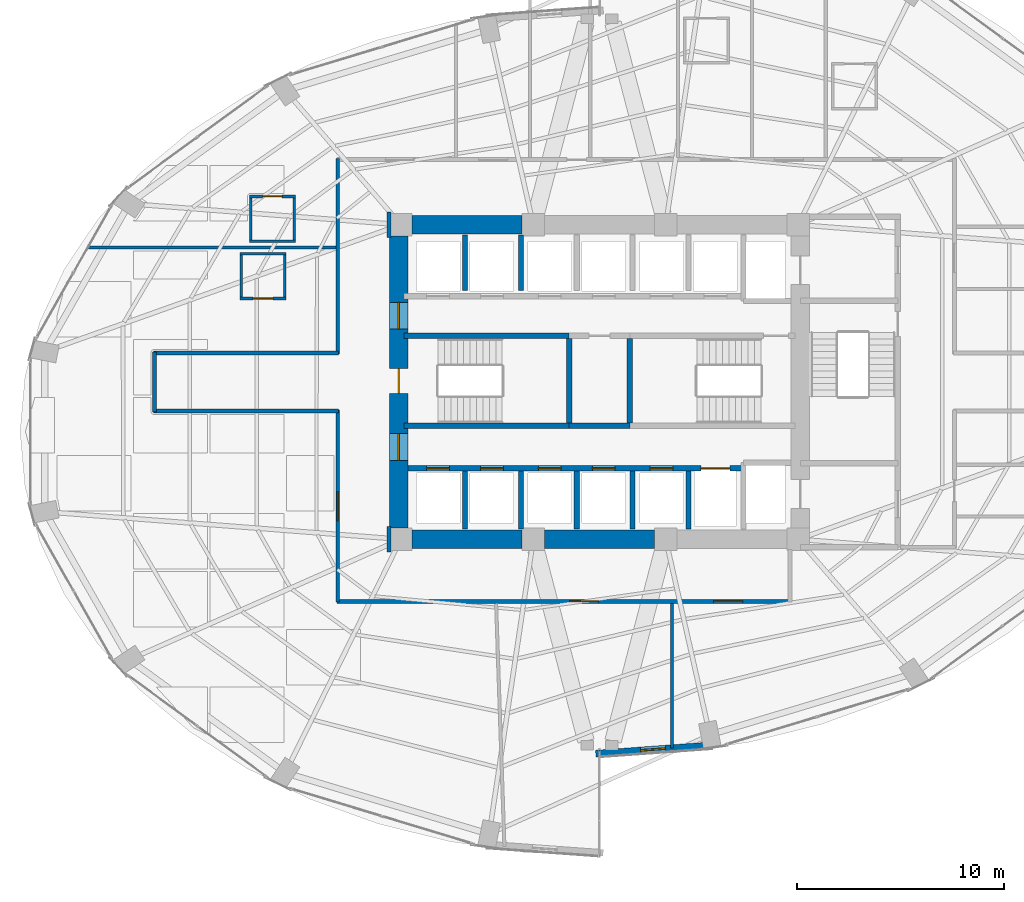
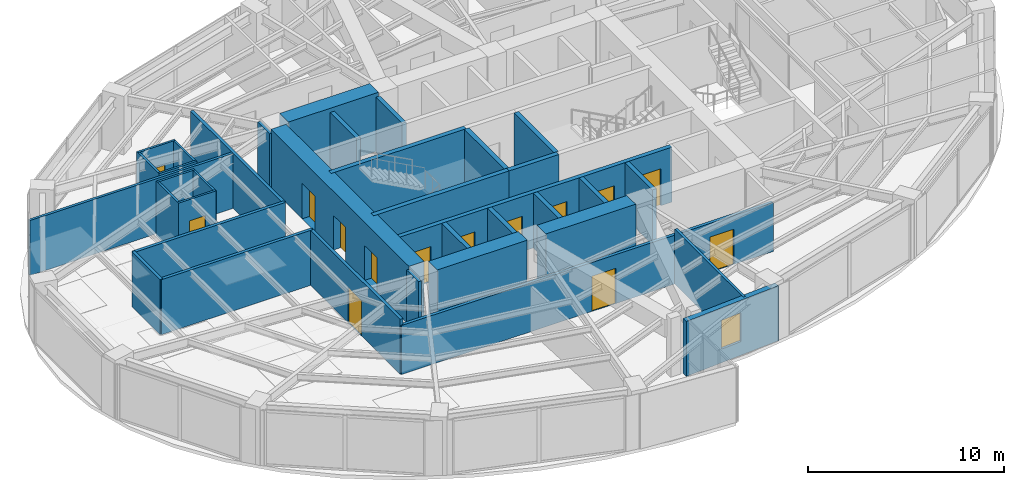
# One storey, part 21 of 25: 36 walls, 14 doors, 1 window, 15 openings.
"""IFC4 building model written with IfcOpenShell, lengths in metres."""

from ifc_helpers import new_model, si_unit, direction, frame, frame_2d, origin, place, context, subcontext, project, spatial, rectangle, extrude, material, layer, layer_set, type_object, element, fill, save


model = new_model("IFC4")

# Units and contexts
model_context = context("Model", 3, precision=1e-05, world=origin(), true_north=direction((0.0, 1.0)))
body_context = subcontext(model_context, "Body", "Model", "MODEL_VIEW")
ifc_project = project(units=[si_unit("LENGTHUNIT", "METRE"), si_unit("AREAUNIT", "SQUARE_METRE"), si_unit("VOLUMEUNIT", "CUBIC_METRE"), si_unit("PLANEANGLEUNIT", "RADIAN"), si_unit("MASSUNIT", "GRAM", prefix="KILO")], contexts=[model_context])

# Site, building, storey
site_placement = place(None, origin())
site = spatial("IfcSite", under=ifc_project, at=site_placement, CompositionType="ELEMENT")
building_placement = place(site_placement, origin())
building = spatial("IfcBuilding", under=site, at=building_placement, Name="Lazwardi Medical Tower", CompositionType="ELEMENT")
storey_placement = place(building_placement, frame((0.0, 0.0, 47.087890625)))
storey = spatial("IfcBuildingStorey", under=building, at=storey_placement, Name="L11", CompositionType="ELEMENT", Elevation=47.087890625)

# Walls
ifc_material_1 = material(Name="Fire-rated gypsum board on steel stud", Category="steel")
ifc_layer_1 = layer(ifc_material_1, 0.179931640625)
ifc_layer_set_1 = layer_set([ifc_layer_1], Name="Fire-rated gypsum board on steel stud")
wall_type_1 = type_object("IfcWallType", Name="WL-COR-180", PredefinedType="PARTITIONING", material=ifc_layer_set_1)
wall_1_placement = place(storey_placement, frame((14.5, 26.56005859375, 0.0), z_axis=(0.0, 0.0, 1.0), x_axis=(0.0, 1.0, 0.0)))
element("IfcWall", 1, at=wall_1_placement, inside=storey, type_object=wall_type_1, Name="L11 Corridor partition 1", PredefinedType="PARTITIONING", context=body_context, shape_type="SweptSolid", body=[
    extrude(rectangle(XDim=2.8798828125, YDim=0.179931640625, at=frame_2d((1.43994140625, 0.0))), origin(), (0.0, 0.0, 1.0), 3.42822265625),
])
wall_2_placement = place(storey_placement, frame((14.4599609375, 29.39990234375, 0.0), z_axis=(0.0, 0.0, 1.0), x_axis=(1.0, 0.0, 0.0)))
element("IfcWall", 2, at=wall_2_placement, inside=storey, type_object=wall_type_1, Name="L11 Corridor partition 2", PredefinedType="PARTITIONING", context=body_context, shape_type="SweptSolid", body=[
    extrude(rectangle(XDim=8.929931640625, YDim=0.179931640625, at=frame_2d((4.46484375, 0.0))), origin(), (0.0, 0.0, 1.0), 3.42822265625),
])
wall_3_placement = place(storey_placement, frame((23.35009765625, 29.360107421875, 0.0), z_axis=(0.0, 0.0, 1.0), x_axis=(0.0, 1.0, 0.0)))
element("IfcWall", 3, at=wall_3_placement, inside=storey, type_object=wall_type_1, Name="L11 Corridor partition 3", PredefinedType="PARTITIONING", context=body_context, shape_type="SweptSolid", body=[
    extrude(rectangle(XDim=9.429931640625, YDim=0.179931640625, at=frame_2d((4.71484375, 0.0))), origin(), (0.0, 0.0, 1.0), 3.42822265625),
])
for number, where, z_axis, x_axis, name in (
    (4, (25.830078125, 36.2099609375, 0.0), (0.0, 0.0, 1.0), (0.0, -1.0, 0.0), "L11 Corridor partition 12"),
    (5, (25.830078125, 21.010009765625, 0.0), (0.0, 0.0, 1.0), (0.0, -1.0, 0.0), "L11 Corridor partition 13"),
):
    element("IfcWall", number, at=place(storey_placement, frame(where, z_axis=z_axis, x_axis=x_axis)), inside=storey, type_object=wall_type_1, Name=name, PredefinedType="PARTITIONING", context=body_context, shape_type="SweptSolid", body=[
        extrude(rectangle(XDim=1.219970703125, YDim=0.179931640625, at=frame_2d((0.60986328125, 0.0))), origin(), (0.0, 0.0, 1.0), 3.42822265625),
    ])

# Wall, openings, doors
wall_4_placement = place(storey_placement, frame((45.239990234375, 17.39990234375, 0.0), z_axis=(0.0, 0.0, 1.0), x_axis=(-1.0, 0.0, 0.0)))
wall_4 = element("IfcWall", 6, at=wall_4_placement, inside=storey, type_object=wall_type_1, Name="L11 Corridor partition 15", PredefinedType="PARTITIONING", context=body_context, shape_type="SweptSolid", body=[
    extrude(rectangle(XDim=21.929931640625, YDim=0.179931640625, at=frame_2d((10.96484375, 0.0))), origin(), (0.0, 0.0, 1.0), 3.05322265625),
])
opening_1_placement = place(wall_4_placement, frame((9.288818359375, 0.0, 0.0)))
opening_1 = element("IfcOpeningElement", 7, at=opening_1_placement, cuts=wall_4, Name="Opening D-L11-011", PredefinedType="OPENING", context=body_context, shape_type="SweptSolid", body=[
    extrude(rectangle(XDim=1.39990234375, YDim=2.199951171875, at=frame_2d((0.699951171875, 1.10009765625))), frame((0.0, 0.099853515625, 0.0), z_axis=(0.0, -1.0, 0.0), x_axis=(1.0, 0.0, 0.0)), (0.0, 0.0, 1.0), 0.199951171875),
])
opening_2_placement = place(wall_4_placement, frame((2.3291015625, 0.0, 0.0)))
opening_2 = element("IfcOpeningElement", 8, at=opening_2_placement, cuts=wall_4, Name="Opening D-L11-012", PredefinedType="OPENING", context=body_context, shape_type="SweptSolid", body=[
    extrude(rectangle(XDim=1.39990234375, YDim=2.199951171875, at=frame_2d((0.699951171875, 1.10009765625))), frame((0.0, 0.099853515625, 0.0), z_axis=(0.0, -1.0, 0.0), x_axis=(1.0, 0.0, 0.0)), (0.0, 0.0, 1.0), 0.199951171875),
])
ifc_material_2 = material(Name="Anti-microbial laminate hospital leaf")
door_type_1 = type_object("IfcDoorType", Name="DR-BED-1400", OperationType="NOTDEFINED", PredefinedType="DOOR", material=ifc_material_2)
door_1_placement = place(opening_1_placement, origin())
door_1 = element("IfcDoor", 9, at=door_1_placement, inside=storey, type_object=door_type_1, Name="L11 Rehabilitation Gymnasium Door 02", OperationType="SINGLE_SWING_LEFT", OverallHeight=2.199951171875, OverallWidth=1.39990234375, PredefinedType="DOOR", context=body_context, shape_type="SweptSolid", body=[
    extrude(rectangle(XDim=1.39990234375, YDim=2.199951171875, at=frame_2d((0.699951171875, 1.10009765625))), frame((0.0, 0.02490234375, 0.0), z_axis=(0.0, -1.0, 0.0), x_axis=(1.0, 0.0, 0.0)), (0.0, 0.0, 1.0), 0.050048828125),
])
fill(opening_1, door_1)
door_2_placement = place(opening_2_placement, origin())
door_2 = element("IfcDoor", 10, at=door_2_placement, inside=storey, type_object=door_type_1, Name="L11 Patient Day Lounge Door 03", OperationType="SINGLE_SWING_RIGHT", OverallHeight=2.199951171875, OverallWidth=1.39990234375, PredefinedType="DOOR", context=body_context, shape_type="SweptSolid", body=[
    extrude(rectangle(XDim=1.39990234375, YDim=2.199951171875, at=frame_2d((0.699951171875, 1.10009765625))), frame((0.0, 0.02490234375, 0.0), z_axis=(0.0, -1.0, 0.0), x_axis=(1.0, 0.0, 0.0)), (0.0, 0.0, 1.0), 0.050048828125),
])
fill(opening_2, door_2)

# Wall, opening, door
wall_5_placement = place(storey_placement, frame((23.35009765625, 17.360107421875, 0.0), z_axis=(0.0, 0.0, 1.0), x_axis=(0.0, 1.0, 0.0)))
wall_5 = element("IfcWall", 11, at=wall_5_placement, inside=storey, type_object=wall_type_1, Name="L11 Corridor partition 16", PredefinedType="PARTITIONING", context=body_context, shape_type="SweptSolid", body=[
    extrude(rectangle(XDim=9.27978515625, YDim=0.179931640625, at=frame_2d((4.639892578125, 0.0))), origin(), (0.0, 0.0, 1.0), 3.42822265625),
])
opening_3_placement = place(wall_5_placement, frame((3.93994140625, 0.0, 0.0)))
opening_3 = element("IfcOpeningElement", 12, at=opening_3_placement, cuts=wall_5, Name="Opening D-L11-010", PredefinedType="OPENING", context=body_context, shape_type="SweptSolid", body=[
    extrude(rectangle(XDim=1.39990234375, YDim=2.199951171875, at=frame_2d((0.699951171875, 1.10009765625))), frame((0.0, 0.099853515625, 0.0), z_axis=(0.0, -1.0, 0.0), x_axis=(1.0, 0.0, 0.0)), (0.0, 0.0, 1.0), 0.199951171875),
])
door_3_placement = place(opening_3_placement, origin())
door_3 = element("IfcDoor", 13, at=door_3_placement, inside=storey, type_object=door_type_1, Name="L11 Inpatient Ward Door 01", OperationType="SINGLE_SWING_RIGHT", OverallHeight=2.199951171875, OverallWidth=1.39990234375, PredefinedType="DOOR", context=body_context, shape_type="SweptSolid", body=[
    extrude(rectangle(XDim=1.39990234375, YDim=2.199951171875, at=frame_2d((0.699951171875, 1.10009765625))), frame((0.0, 0.02490234375, 0.0), z_axis=(0.0, -1.0, 0.0), x_axis=(1.0, 0.0, 0.0)), (0.0, 0.0, 1.0), 0.050048828125),
])
fill(opening_3, door_3)

# Wall
wall_6_placement = place(storey_placement, frame((23.389892578125, 26.60009765625, 0.0), z_axis=(0.0, 0.0, 1.0), x_axis=(-1.0, 0.0, 0.0)))
element("IfcWall", 14, at=wall_6_placement, inside=storey, type_object=wall_type_1, Name="L11 Corridor partition 17", PredefinedType="PARTITIONING", context=body_context, shape_type="SweptSolid", body=[
    extrude(rectangle(XDim=8.929931640625, YDim=0.179931640625, at=frame_2d((4.46484375, 0.0))), origin(), (0.0, 0.0, 1.0), 3.42822265625),
])

# Wall, openings, doors
ifc_material_3 = material(Name="Concrete C80/95", Category="concrete")
ifc_layer_2 = layer(ifc_material_3, 0.89990234375)
ifc_layer_set_2 = layer_set([ifc_layer_2], Name="Concrete C80/95")
wall_type_2 = type_object("IfcWallType", Name="WL-CORE-900", PredefinedType="SHEAR", material=ifc_layer_set_2)
wall_7_placement = place(storey_placement, frame((26.300048828125, 20.949951171875, 0.0), z_axis=(0.0, 0.0, 1.0), x_axis=(0.0, 1.0, 0.0)))
wall_7 = element("IfcWall", 15, at=wall_7_placement, inside=storey, type_object=wall_type_2, Name="Core wall CW-S1 west L11", PredefinedType="SHEAR", context=body_context, shape_type="SweptSolid", body=[
    extrude(rectangle(XDim=14.10009765625, YDim=0.89990234375, at=frame_2d((7.050048828125, 0.0))), origin(), (0.0, 0.0, 1.0), 3.648193359375),
])
opening_4_placement = place(wall_7_placement, frame((6.5, 0.0, 0.0)))
opening_4 = element("IfcOpeningElement", 16, at=opening_4_placement, cuts=wall_7, Name="Opening D-L11-023", PredefinedType="OPENING", context=body_context, shape_type="SweptSolid", body=[
    extrude(rectangle(XDim=1.199951171875, YDim=2.14990234375, at=frame_2d((0.60009765625, 1.074951171875))), frame((0.0, 0.4599609375, 0.0), z_axis=(0.0, -1.0, 0.0), x_axis=(1.0, 0.0, 0.0)), (0.0, 0.0, 1.0), 0.919921875),
])
opening_5_placement = place(wall_7_placement, frame((9.60009765625, 0.0, 0.0)))
opening_5 = element("IfcOpeningElement", 17, at=opening_5_placement, cuts=wall_7, Name="Opening D-L11-008", PredefinedType="OPENING", context=body_context, shape_type="SweptSolid", body=[
    extrude(rectangle(XDim=1.300048828125, YDim=2.199951171875, at=frame_2d((0.64990234375, 1.10009765625))), frame((0.0, 0.4599609375, 0.0), z_axis=(0.0, -1.0, 0.0), x_axis=(1.0, 0.0, 0.0)), (0.0, 0.0, 1.0), 0.919921875),
])
opening_6_placement = place(wall_7_placement, frame((3.260009765625, 0.0, 0.0)))
opening_6 = element("IfcOpeningElement", 18, at=opening_6_placement, cuts=wall_7, Name="Opening D-L11-009", PredefinedType="OPENING", context=body_context, shape_type="SweptSolid", body=[
    extrude(rectangle(XDim=1.300048828125, YDim=2.199951171875, at=frame_2d((0.64990234375, 1.10009765625))), frame((0.0, 0.4599609375, 0.0), z_axis=(0.0, -1.0, 0.0), x_axis=(1.0, 0.0, 0.0)), (0.0, 0.0, 1.0), 0.919921875),
])
ifc_material_4 = material(Name="Fire-rated steel leaf and frame", Category="steel")
door_type_2 = type_object("IfcDoorType", Name="DR-FFL-1300", OperationType="NOTDEFINED", PredefinedType="DOOR", material=ifc_material_4)
door_4_placement = place(opening_5_placement, origin())
door_4 = element("IfcDoor", 19, at=door_4_placement, inside=storey, type_object=door_type_2, Name="L11 North Lift Lobby Door", OperationType="SINGLE_SWING_RIGHT", OverallHeight=2.199951171875, OverallWidth=1.300048828125, PredefinedType="DOOR", context=body_context, shape_type="SweptSolid", body=[
    extrude(rectangle(XDim=1.300048828125, YDim=2.199951171875, at=frame_2d((0.64990234375, 1.10009765625))), frame((0.0, 0.02490234375, 0.0), z_axis=(0.0, -1.0, 0.0), x_axis=(1.0, 0.0, 0.0)), (0.0, 0.0, 1.0), 0.050048828125),
])
fill(opening_5, door_4)
door_5_placement = place(opening_6_placement, origin())
door_5 = element("IfcDoor", 20, at=door_5_placement, inside=storey, type_object=door_type_2, Name="L11 South Lift Lobby Door", OperationType="SINGLE_SWING_LEFT", OverallHeight=2.199951171875, OverallWidth=1.300048828125, PredefinedType="DOOR", context=body_context, shape_type="SweptSolid", body=[
    extrude(rectangle(XDim=1.300048828125, YDim=2.199951171875, at=frame_2d((0.64990234375, 1.10009765625))), frame((0.0, 0.02490234375, 0.0), z_axis=(0.0, -1.0, 0.0), x_axis=(1.0, 0.0, 0.0)), (0.0, 0.0, 1.0), 0.050048828125),
])
fill(opening_6, door_5)
door_type_3 = type_object("IfcDoorType", Name="DR-STR-1200", OperationType="NOTDEFINED", PredefinedType="DOOR", material=ifc_material_4)
door_6_placement = place(opening_4_placement, origin())
door_6 = element("IfcDoor", 21, at=door_6_placement, inside=storey, type_object=door_type_3, Name="L11 Exit Stair ST1 Door", OperationType="SINGLE_SWING_LEFT", OverallHeight=2.14990234375, OverallWidth=1.199951171875, PredefinedType="DOOR", context=body_context, shape_type="SweptSolid", body=[
    extrude(rectangle(XDim=1.199951171875, YDim=2.14990234375, at=frame_2d((0.60009765625, 1.074951171875))), frame((0.0, 0.02490234375, 0.0), z_axis=(0.0, -1.0, 0.0), x_axis=(1.0, 0.0, 0.0)), (0.0, 0.0, 1.0), 0.050048828125),
])
fill(opening_4, door_6)

# Walls
for number, where, z_axis, x_axis, name in (
    (22, (26.949951171875, 20.39990234375, 0.0), (0.0, 0.0, 1.0), (1.0, 0.0, 0.0), "Core wall CW-S1 S1 L11"),
    (23, (26.949951171875, 35.60009765625, 0.0), (0.0, 0.0, 1.0), (1.0, 0.0, 0.0), "Core wall CW-S1 N1 L11"),
):
    element("IfcWall", number, at=place(storey_placement, frame(where, z_axis=z_axis, x_axis=x_axis)), inside=storey, type_object=wall_type_2, Name=name, PredefinedType="SHEAR", context=body_context, shape_type="SweptSolid", body=[
        extrude(rectangle(XDim=5.300048828125, YDim=0.89990234375, at=frame_2d((2.64990234375, 0.0))), origin(), (0.0, 0.0, 1.0), 3.648193359375),
    ])
wall_8_placement = place(storey_placement, frame((33.35009765625, 20.39990234375, 0.0), z_axis=(0.0, 0.0, 1.0), x_axis=(1.0, 0.0, 0.0)))
element("IfcWall", 24, at=wall_8_placement, inside=storey, type_object=wall_type_2, Name="Core wall CW-S1 S2 L11", PredefinedType="SHEAR", context=body_context, shape_type="SweptSolid", body=[
    extrude(rectangle(XDim=5.2998046875, YDim=0.89990234375, at=frame_2d((2.64990234375, 0.0))), origin(), (0.0, 0.0, 1.0), 3.648193359375),
])
ifc_material_5 = material(Name="Moisture-resistant gypsum board partition")
ifc_layer_3 = layer(ifc_material_5, 0.125)
ifc_layer_set_3 = layer_set([ifc_layer_3], Name="Moisture-resistant gypsum board partition")
wall_type_3 = type_object("IfcWallType", Name="WL-ENS-125", PredefinedType="PARTITIONING", material=ifc_layer_set_3)
wall_9_placement = place(storey_placement, frame((18.633056640625, 34.195068359375, 0.0), z_axis=(0.0, 0.0, 1.0), x_axis=(1.0, 0.0, 0.0)))
element("IfcWall", 25, at=wall_9_placement, inside=storey, type_object=wall_type_3, Name="L11 En-suite wall 1N", PredefinedType="PARTITIONING", context=body_context, shape_type="SweptSolid", body=[
    extrude(rectangle(XDim=2.219970703125, YDim=0.125, at=frame_2d((1.10986328125, 0.0))), origin(), (0.0, 0.0, 1.0), 3.42822265625),
])

# Wall, opening, door
wall_10_placement = place(storey_placement, frame((18.633056640625, 32.034912109375, 0.0), z_axis=(0.0, 0.0, 1.0), x_axis=(1.0, 0.0, 0.0)))
wall_10 = element("IfcWall", 26, at=wall_10_placement, inside=storey, type_object=wall_type_3, Name="L11 En-suite wall 1S", PredefinedType="PARTITIONING", context=body_context, shape_type="SweptSolid", body=[
    extrude(rectangle(XDim=2.219970703125, YDim=0.125, at=frame_2d((1.10986328125, 0.0))), origin(), (0.0, 0.0, 1.0), 3.42822265625),
])
opening_7_placement = place(wall_10_placement, frame((0.635009765625, 0.0, 0.0)))
opening_7 = element("IfcOpeningElement", 27, at=opening_7_placement, cuts=wall_10, Name="Opening D-L11-002", PredefinedType="OPENING", context=body_context, shape_type="SweptSolid", body=[
    extrude(rectangle(XDim=0.949951171875, YDim=2.10009765625, at=frame_2d((0.47509765625, 1.050048828125))), frame((0.0, 0.072509765625, 0.0), z_axis=(0.0, -1.0, 0.0), x_axis=(1.0, 0.0, 0.0)), (0.0, 0.0, 1.0), 0.14501953125),
])
ifc_material_6 = material(Name="Moisture-resistant laminate door leaf")
door_type_4 = type_object("IfcDoorType", Name="DR-ENS-950", OperationType="NOTDEFINED", PredefinedType="DOOR", material=ifc_material_6)
door_7_placement = place(opening_7_placement, origin())
door_7 = element("IfcDoor", 28, at=door_7_placement, inside=storey, type_object=door_type_4, Name="L11 En-suite Door 01", OperationType="SINGLE_SWING_LEFT", OverallHeight=2.10009765625, OverallWidth=0.949951171875, PredefinedType="DOOR", context=body_context, shape_type="SweptSolid", body=[
    extrude(rectangle(XDim=0.949951171875, YDim=2.10009765625, at=frame_2d((0.47509765625, 1.050048828125))), frame((0.0, 0.02490234375, 0.0), z_axis=(0.0, -1.0, 0.0), x_axis=(1.0, 0.0, 0.0)), (0.0, 0.0, 1.0), 0.050048828125),
])
fill(opening_7, door_7)

# Walls
for number, where, z_axis, x_axis, name in (
    (29, (20.793212890625, 31.97509765625, 0.0), (0.0, 0.0, 1.0), (0.0, 1.0, 0.0), "L11 En-suite wall 1E"),
    (30, (18.693115234375, 31.97509765625, 0.0), (0.0, 0.0, 1.0), (0.0, 1.0, 0.0), "L11 En-suite wall 1W"),
):
    element("IfcWall", number, at=place(storey_placement, frame(where, z_axis=z_axis, x_axis=x_axis)), inside=storey, type_object=wall_type_3, Name=name, PredefinedType="PARTITIONING", context=body_context, shape_type="SweptSolid", body=[
        extrude(rectangle(XDim=2.27978515625, YDim=0.125, at=frame_2d((1.139892578125, 0.0))), origin(), (0.0, 0.0, 1.0), 3.42822265625),
    ])

# Wall, opening, door
wall_11_placement = place(storey_placement, frame((19.084228515625, 36.965087890625, 0.0), z_axis=(0.0, 0.0, 1.0), x_axis=(1.0, 0.0, 0.0)))
wall_11 = element("IfcWall", 31, at=wall_11_placement, inside=storey, type_object=wall_type_3, Name="L11 En-suite wall 13N", PredefinedType="PARTITIONING", context=body_context, shape_type="SweptSolid", body=[
    extrude(rectangle(XDim=2.219970703125, YDim=0.125, at=frame_2d((1.10986328125, 0.0))), origin(), (0.0, 0.0, 1.0), 3.42822265625),
])
opening_8_placement = place(wall_11_placement, frame((0.635009765625, 0.0, 0.0)))
opening_8 = element("IfcOpeningElement", 32, at=opening_8_placement, cuts=wall_11, Name="Opening D-L11-005", PredefinedType="OPENING", context=body_context, shape_type="SweptSolid", body=[
    extrude(rectangle(XDim=0.949951171875, YDim=2.10009765625, at=frame_2d((0.47509765625, 1.050048828125))), frame((0.0, 0.072509765625, 0.0), z_axis=(0.0, -1.0, 0.0), x_axis=(1.0, 0.0, 0.0)), (0.0, 0.0, 1.0), 0.14501953125),
])
door_8_placement = place(opening_8_placement, origin())
door_8 = element("IfcDoor", 33, at=door_8_placement, inside=storey, type_object=door_type_4, Name="L11 En-suite Door 13", OperationType="SINGLE_SWING_RIGHT", OverallHeight=2.10009765625, OverallWidth=0.949951171875, PredefinedType="DOOR", context=body_context, shape_type="SweptSolid", body=[
    extrude(rectangle(XDim=0.949951171875, YDim=2.10009765625, at=frame_2d((0.47509765625, 1.050048828125))), frame((0.0, 0.02490234375, 0.0), z_axis=(0.0, -1.0, 0.0), x_axis=(1.0, 0.0, 0.0)), (0.0, 0.0, 1.0), 0.050048828125),
])
fill(opening_8, door_8)

# Walls
wall_12_placement = place(storey_placement, frame((19.084228515625, 34.804931640625, 0.0), z_axis=(0.0, 0.0, 1.0), x_axis=(1.0, 0.0, 0.0)))
element("IfcWall", 34, at=wall_12_placement, inside=storey, type_object=wall_type_3, Name="L11 En-suite wall 13S", PredefinedType="PARTITIONING", context=body_context, shape_type="SweptSolid", body=[
    extrude(rectangle(XDim=2.219970703125, YDim=0.125, at=frame_2d((1.10986328125, 0.0))), origin(), (0.0, 0.0, 1.0), 3.42822265625),
])
for number, where, z_axis, x_axis, name in (
    (35, (21.244384765625, 34.7451171875, 0.0), (0.0, 0.0, 1.0), (0.0, 1.0, 0.0), "L11 En-suite wall 13E"),
    (36, (19.144287109375, 34.7451171875, 0.0), (0.0, 0.0, 1.0), (0.0, 1.0, 0.0), "L11 En-suite wall 13W"),
):
    element("IfcWall", number, at=place(storey_placement, frame(where, z_axis=z_axis, x_axis=x_axis)), inside=storey, type_object=wall_type_3, Name=name, PredefinedType="PARTITIONING", context=body_context, shape_type="SweptSolid", body=[
        extrude(rectangle(XDim=2.27978515625, YDim=0.125, at=frame_2d((1.139892578125, 0.0))), origin(), (0.0, 0.0, 1.0), 3.42822265625),
    ])

# Wall, opening, window
ifc_material_7 = material(Name="Precast concrete C45/55", Category="concrete")
ifc_layer_4 = layer(ifc_material_7, 0.320068359375)
ifc_layer_set_4 = layer_set([ifc_layer_4], Name="Precast concrete C45/55")
wall_type_4 = type_object("IfcWallType", Name="WL-IWAN-320", PredefinedType="SOLIDWALL", material=ifc_layer_set_4)
wall_13_placement = place(storey_placement, frame((35.820556640625, 10.047119140625, 0.0), z_axis=(0.0, 0.0, 1.0), x_axis=(0.997422321809, 0.071754525696, 0.0)))
wall_13 = element("IfcWall", 37, at=wall_13_placement, inside=storey, type_object=wall_type_4, Name="L11 Iwan Portal Return Wall SE_ret", PredefinedType="SOLIDWALL", context=body_context, shape_type="SweptSolid", body=[
    extrude(rectangle(XDim=5.67529296875, YDim=0.320068359375, at=frame_2d((2.837646484375, 0.0))), origin(), (0.0, 0.0, 1.0), 3.42822265625),
])
opening_9_placement = place(wall_13_placement, frame((2.173828125, 0.0, 0.85009765625)))
opening_9 = element("IfcOpeningElement", 38, at=opening_9_placement, cuts=wall_13, Name="Opening WN-04", PredefinedType="OPENING", context=body_context, shape_type="SweptSolid", body=[
    extrude(rectangle(XDim=1.199951171875, YDim=1.800048828125, at=frame_2d((0.60009765625, 0.89990234375))), frame((0.0, 0.169921875, 0.0), z_axis=(0.0, -1.0, 0.0), x_axis=(1.0, 0.0, 0.0)), (0.0, 0.0, 1.0), 0.340087890625),
])
ifc_material_8 = material(Name="Low-e bronze solar control double glazing", Category="glass")
window_type = type_object("IfcWindowType", Name="WIN-DRUM-1200", PartitioningType="SINGLE_PANEL", PredefinedType="WINDOW", material=ifc_material_8)
window_placement = place(opening_9_placement, origin())
window = element("IfcWindow", 39, at=window_placement, inside=storey, type_object=window_type, Name="L11 Iwan Slot Window SE_ret", OverallHeight=1.800048828125, OverallWidth=1.199951171875, PartitioningType="SINGLE_PANEL", PredefinedType="WINDOW", context=body_context, shape_type="SweptSolid", body=[
    extrude(rectangle(XDim=1.199951171875, YDim=1.800048828125, at=frame_2d((0.60009765625, 0.89990234375))), frame((0.0, 0.030029296875, 0.0), z_axis=(0.0, -1.0, 0.0), x_axis=(1.0, 0.0, 0.0)), (0.0, 0.0, 1.0), 0.06005859375),
])
fill(opening_9, window)

# Wall, openings, doors
ifc_material_9 = material(Name="Autoclaved aerated concrete blockwork", Category="masonry")
ifc_layer_5 = layer(ifc_material_9, 0.25)
ifc_layer_set_5 = layer_set([ifc_layer_5], Name="Autoclaved aerated concrete blockwork")
wall_type_5 = type_object("IfcWallType", Name="WL-SHAFT-250", PredefinedType="SOLIDWALL", material=ifc_layer_set_5)
wall_14_placement = place(storey_placement, frame((26.75, 23.830078125, 0.0), z_axis=(0.0, 0.0, 1.0), x_axis=(1.0, 0.0, 0.0)))
wall_14 = element("IfcWall", 40, at=wall_14_placement, inside=storey, type_object=wall_type_5, Name="L11 South lift bank front wall", PredefinedType="SOLIDWALL", context=body_context, shape_type="SweptSolid", body=[
    extrude(rectangle(XDim=16.199951171875, YDim=0.25, at=frame_2d((8.10009765625, 0.0))), origin(), (0.0, 0.0, 1.0), 3.42822265625),
])
opening_10_placement = place(wall_14_placement, frame((0.89990234375, 0.0, 0.0)))
opening_10 = element("IfcOpeningElement", 41, at=opening_10_placement, cuts=wall_14, Name="Opening LD-L11-006", PredefinedType="OPENING", context=body_context, shape_type="SweptSolid", body=[
    extrude(rectangle(XDim=1.10009765625, YDim=2.199951171875, at=frame_2d((0.550048828125, 1.10009765625))), frame((0.0, 0.135009765625, 0.0), z_axis=(0.0, -1.0, 0.0), x_axis=(1.0, 0.0, 0.0)), (0.0, 0.0, 1.0), 0.27001953125),
])
opening_11_placement = place(wall_14_placement, frame((3.5, 0.0, 0.0)))
opening_11 = element("IfcOpeningElement", 42, at=opening_11_placement, cuts=wall_14, Name="Opening LD-L11-007", PredefinedType="OPENING", context=body_context, shape_type="SweptSolid", body=[
    extrude(rectangle(XDim=1.10009765625, YDim=2.199951171875, at=frame_2d((0.550048828125, 1.10009765625))), frame((0.0, 0.135009765625, 0.0), z_axis=(0.0, -1.0, 0.0), x_axis=(1.0, 0.0, 0.0)), (0.0, 0.0, 1.0), 0.27001953125),
])
opening_12_placement = place(wall_14_placement, frame((6.300048828125, 0.0, 0.0)))
opening_12 = element("IfcOpeningElement", 43, at=opening_12_placement, cuts=wall_14, Name="Opening LD-L11-010", PredefinedType="OPENING", context=body_context, shape_type="SweptSolid", body=[
    extrude(rectangle(XDim=1.10009765625, YDim=2.199951171875, at=frame_2d((0.550048828125, 1.10009765625))), frame((0.0, 0.135009765625, 0.0), z_axis=(0.0, -1.0, 0.0), x_axis=(1.0, 0.0, 0.0)), (0.0, 0.0, 1.0), 0.27001953125),
])
opening_13_placement = place(wall_14_placement, frame((8.89990234375, 0.0, 0.0)))
opening_13 = element("IfcOpeningElement", 44, at=opening_13_placement, cuts=wall_14, Name="Opening LD-L11-011", PredefinedType="OPENING", context=body_context, shape_type="SweptSolid", body=[
    extrude(rectangle(XDim=1.10009765625, YDim=2.199951171875, at=frame_2d((0.550048828125, 1.10009765625))), frame((0.0, 0.135009765625, 0.0), z_axis=(0.0, -1.0, 0.0), x_axis=(1.0, 0.0, 0.0)), (0.0, 0.0, 1.0), 0.27001953125),
])
opening_14_placement = place(wall_14_placement, frame((11.699951171875, 0.0, 0.0)))
opening_14 = element("IfcOpeningElement", 45, at=opening_14_placement, cuts=wall_14, Name="Opening LD-L11-014", PredefinedType="OPENING", context=body_context, shape_type="SweptSolid", body=[
    extrude(rectangle(XDim=1.10009765625, YDim=2.199951171875, at=frame_2d((0.550048828125, 1.10009765625))), frame((0.0, 0.135009765625, 0.0), z_axis=(0.0, -1.0, 0.0), x_axis=(1.0, 0.0, 0.0)), (0.0, 0.0, 1.0), 0.27001953125),
])
opening_15_placement = place(wall_14_placement, frame((14.14990234375, 0.0, 0.0)))
opening_15 = element("IfcOpeningElement", 46, at=opening_15_placement, cuts=wall_14, Name="Opening LD-L11-003", PredefinedType="OPENING", context=body_context, shape_type="SweptSolid", body=[
    extrude(rectangle(XDim=1.39990234375, YDim=2.300048828125, at=frame_2d((0.699951171875, 1.14990234375))), frame((0.0, 0.135009765625, 0.0), z_axis=(0.0, -1.0, 0.0), x_axis=(1.0, 0.0, 0.0)), (0.0, 0.0, 1.0), 0.27001953125),
])
ifc_material_10 = material(Name="Brushed bronze stainless steel landing door", Category="steel")
door_type_5 = type_object("IfcDoorType", Name="DR-LFT-1100", OperationType="NOTDEFINED", PredefinedType="DOOR", material=ifc_material_10)
door_9_placement = place(opening_10_placement, origin())
door_9 = element("IfcDoor", 47, at=door_9_placement, inside=storey, type_object=door_type_5, Name="L11 Lift Landing Door PL-03", OperationType="SLIDING_TO_LEFT", OverallHeight=2.199951171875, OverallWidth=1.10009765625, PredefinedType="DOOR", context=body_context, shape_type="SweptSolid", body=[
    extrude(rectangle(XDim=1.10009765625, YDim=2.199951171875, at=frame_2d((0.550048828125, 1.10009765625))), frame((0.0, 0.02490234375, 0.0), z_axis=(0.0, -1.0, 0.0), x_axis=(1.0, 0.0, 0.0)), (0.0, 0.0, 1.0), 0.050048828125),
])
fill(opening_10, door_9)
door_10_placement = place(opening_11_placement, origin())
door_10 = element("IfcDoor", 48, at=door_10_placement, inside=storey, type_object=door_type_5, Name="L11 Lift Landing Door PL-04", OperationType="SLIDING_TO_LEFT", OverallHeight=2.199951171875, OverallWidth=1.10009765625, PredefinedType="DOOR", context=body_context, shape_type="SweptSolid", body=[
    extrude(rectangle(XDim=1.10009765625, YDim=2.199951171875, at=frame_2d((0.550048828125, 1.10009765625))), frame((0.0, 0.02490234375, 0.0), z_axis=(0.0, -1.0, 0.0), x_axis=(1.0, 0.0, 0.0)), (0.0, 0.0, 1.0), 0.050048828125),
])
fill(opening_11, door_10)
door_11_placement = place(opening_12_placement, origin())
door_11 = element("IfcDoor", 49, at=door_11_placement, inside=storey, type_object=door_type_5, Name="L11 Lift Landing Door PL-07", OperationType="SLIDING_TO_LEFT", OverallHeight=2.199951171875, OverallWidth=1.10009765625, PredefinedType="DOOR", context=body_context, shape_type="SweptSolid", body=[
    extrude(rectangle(XDim=1.10009765625, YDim=2.199951171875, at=frame_2d((0.550048828125, 1.10009765625))), frame((0.0, 0.02490234375, 0.0), z_axis=(0.0, -1.0, 0.0), x_axis=(1.0, 0.0, 0.0)), (0.0, 0.0, 1.0), 0.050048828125),
])
fill(opening_12, door_11)
door_12_placement = place(opening_13_placement, origin())
door_12 = element("IfcDoor", 50, at=door_12_placement, inside=storey, type_object=door_type_5, Name="L11 Lift Landing Door PL-08", OperationType="SLIDING_TO_LEFT", OverallHeight=2.199951171875, OverallWidth=1.10009765625, PredefinedType="DOOR", context=body_context, shape_type="SweptSolid", body=[
    extrude(rectangle(XDim=1.10009765625, YDim=2.199951171875, at=frame_2d((0.550048828125, 1.10009765625))), frame((0.0, 0.02490234375, 0.0), z_axis=(0.0, -1.0, 0.0), x_axis=(1.0, 0.0, 0.0)), (0.0, 0.0, 1.0), 0.050048828125),
])
fill(opening_13, door_12)
door_13_placement = place(opening_14_placement, origin())
door_13 = element("IfcDoor", 51, at=door_13_placement, inside=storey, type_object=door_type_5, Name="L11 Lift Landing Door PL-11", OperationType="SLIDING_TO_LEFT", OverallHeight=2.199951171875, OverallWidth=1.10009765625, PredefinedType="DOOR", context=body_context, shape_type="SweptSolid", body=[
    extrude(rectangle(XDim=1.10009765625, YDim=2.199951171875, at=frame_2d((0.550048828125, 1.10009765625))), frame((0.0, 0.02490234375, 0.0), z_axis=(0.0, -1.0, 0.0), x_axis=(1.0, 0.0, 0.0)), (0.0, 0.0, 1.0), 0.050048828125),
])
fill(opening_14, door_13)
ifc_material_11 = material(Name="Brushed stainless steel bed-lift landing door", Category="steel")
door_type_6 = type_object("IfcDoorType", Name="DR-LFT-1400", OperationType="NOTDEFINED", PredefinedType="DOOR", material=ifc_material_11)
door_14_placement = place(opening_15_placement, origin())
door_14 = element("IfcDoor", 52, at=door_14_placement, inside=storey, type_object=door_type_6, Name="L11 Lift Landing Door FL-03", OperationType="SLIDING_TO_LEFT", OverallHeight=2.300048828125, OverallWidth=1.39990234375, PredefinedType="DOOR", context=body_context, shape_type="SweptSolid", body=[
    extrude(rectangle(XDim=1.39990234375, YDim=2.300048828125, at=frame_2d((0.699951171875, 1.14990234375))), frame((0.0, 0.02490234375, 0.0), z_axis=(0.0, -1.0, 0.0), x_axis=(1.0, 0.0, 0.0)), (0.0, 0.0, 1.0), 0.050048828125),
])
fill(opening_15, door_14)

# Walls
wall_15_placement = place(storey_placement, frame((29.5, 32.419921875, 0.0), z_axis=(0.0, 0.0, 1.0), x_axis=(0.0, 1.0, 0.0)))
element("IfcWall", 53, at=wall_15_placement, inside=storey, type_object=wall_type_5, Name="L11 North hoistway divider", PredefinedType="SOLIDWALL", context=body_context, shape_type="SweptSolid", body=[
    extrude(rectangle(XDim=2.68017578125, YDim=0.25, at=frame_2d((1.340087890625, 0.0))), origin(), (0.0, 0.0, 1.0), 3.42822265625),
])
wall_16_placement = place(storey_placement, frame((29.5, 20.89990234375, 0.0), z_axis=(0.0, 0.0, 1.0), x_axis=(0.0, 1.0, 0.0)))
element("IfcWall", 54, at=wall_16_placement, inside=storey, type_object=wall_type_5, Name="L11 South hoistway divider", PredefinedType="SOLIDWALL", context=body_context, shape_type="SweptSolid", body=[
    extrude(rectangle(XDim=2.800048828125, YDim=0.25, at=frame_2d((1.39990234375, 0.0))), origin(), (0.0, 0.0, 1.0), 3.42822265625),
])
wall_17_placement = place(storey_placement, frame((32.199951171875, 32.419921875, 0.0), z_axis=(0.0, 0.0, 1.0), x_axis=(0.0, 1.0, 0.0)))
element("IfcWall", 55, at=wall_17_placement, inside=storey, type_object=wall_type_5, Name="L11 North hoistway divider", PredefinedType="SOLIDWALL", context=body_context, shape_type="SweptSolid", body=[
    extrude(rectangle(XDim=2.68017578125, YDim=0.25, at=frame_2d((1.340087890625, 0.0))), origin(), (0.0, 0.0, 1.0), 3.42822265625),
])
for number, where, z_axis, x_axis, name in (
    (56, (32.199951171875, 20.89990234375, 0.0), (0.0, 0.0, 1.0), (0.0, 1.0, 0.0), "L11 South hoistway divider"),
    (57, (34.89990234375, 20.89990234375, 0.0), (0.0, 0.0, 1.0), (0.0, 1.0, 0.0), "L11 South hoistway divider"),
    (58, (37.60009765625, 20.89990234375, 0.0), (0.0, 0.0, 1.0), (0.0, 1.0, 0.0), "L11 South hoistway divider"),
    (59, (40.300048828125, 20.89990234375, 0.0), (0.0, 0.0, 1.0), (0.0, 1.0, 0.0), "L11 South hoistway divider"),
):
    element("IfcWall", number, at=place(storey_placement, frame(where, z_axis=z_axis, x_axis=x_axis)), inside=storey, type_object=wall_type_5, Name=name, PredefinedType="SOLIDWALL", context=body_context, shape_type="SweptSolid", body=[
        extrude(rectangle(XDim=2.800048828125, YDim=0.25, at=frame_2d((1.39990234375, 0.0))), origin(), (0.0, 0.0, 1.0), 3.42822265625),
    ])
ifc_material_12 = material(Name="Concrete C50/60", Category="concrete")
ifc_layer_6 = layer(ifc_material_12, 0.27001953125)
ifc_layer_set_6 = layer_set([ifc_layer_6], Name="Concrete C50/60")
wall_type_6 = type_object("IfcWallType", Name="WL-STR-250", PredefinedType="SHEAR", material=ifc_layer_set_6)
for number, where, z_axis, x_axis, name in (
    (60, (26.550048828125, 30.235107421875, 0.0), (0.0, 0.0, 1.0), (1.0, 0.0, 0.0), "L11 ST1 North shear shaft wall SW-S1"),
    (61, (26.550048828125, 25.885009765625, 0.0), (0.0, 0.0, 1.0), (1.0, 0.0, 0.0), "L11 ST1 South shear shaft wall SW-S1"),
):
    element("IfcWall", number, at=place(storey_placement, frame(where, z_axis=z_axis, x_axis=x_axis)), inside=storey, type_object=wall_type_6, Name=name, PredefinedType="SHEAR", context=body_context, shape_type="SweptSolid", body=[
        extrude(rectangle(XDim=7.98486328125, YDim=0.27001953125, at=frame_2d((3.992431640625, 0.0))), origin(), (0.0, 0.0, 1.0), 3.648193359375),
    ])
wall_18_placement = place(storey_placement, frame((34.534912109375, 25.885009765625, 0.0), z_axis=(0.0, 0.0, 1.0), x_axis=(1.0, 0.0, 0.0)))
element("IfcWall", 62, at=wall_18_placement, inside=storey, type_object=wall_type_6, Name="L11 Core service South shear wall SW-S1", PredefinedType="SHEAR", context=body_context, shape_type="SweptSolid", body=[
    extrude(rectangle(XDim=2.93017578125, YDim=0.27001953125, at=frame_2d((1.465087890625, 0.0))), origin(), (0.0, 0.0, 1.0), 3.648193359375),
])
for number, where, z_axis, x_axis, name in (
    (63, (34.534912109375, 26.02001953125, 0.0), (0.0, 0.0, 1.0), (0.0, 1.0, 0.0), "L11 ST1 East shear shaft wall SW-S1"),
    (64, (37.465087890625, 26.02001953125, 0.0), (0.0, 0.0, 1.0), (0.0, 1.0, 0.0), "L11 ST2 West shear shaft wall SW-S1"),
):
    element("IfcWall", number, at=place(storey_placement, frame(where, z_axis=z_axis, x_axis=x_axis)), inside=storey, type_object=wall_type_6, Name=name, PredefinedType="SHEAR", context=body_context, shape_type="SweptSolid", body=[
        extrude(rectangle(XDim=4.080078125, YDim=0.27001953125, at=frame_2d((2.0400390625, 0.0))), origin(), (0.0, 0.0, 1.0), 3.648193359375),
    ])
ifc_material_13 = material(Name="Acoustic gypsum board partition")
ifc_layer_7 = layer(ifc_material_13, 0.14990234375)
ifc_layer_set_7 = layer_set([ifc_layer_7], Name="Acoustic gypsum board partition")
wall_type_7 = type_object("IfcWallType", Name="WL-WRD-150", PredefinedType="PARTITIONING", material=ifc_layer_set_7)
wall_19_placement = place(storey_placement, frame((11.281005859375, 34.5, 0.0), z_axis=(0.0, 0.0, 1.0), x_axis=(1.0, 0.0, 0.0)))
element("IfcWall", 65, at=wall_19_placement, inside=storey, type_object=wall_type_7, Name="L11 Room partition 1", PredefinedType="PARTITIONING", context=body_context, shape_type="SweptSolid", body=[
    extrude(rectangle(XDim=11.97900390625, YDim=0.14990234375, at=frame_2d((5.989501953125, 0.0))), origin(), (0.0, 0.0, 1.0), 3.42822265625),
])
wall_20_placement = place(storey_placement, frame((39.5, 10.3076171875, 0.0), z_axis=(0.0, 0.0, 1.0), x_axis=(0.0, 1.0, 0.0)))
element("IfcWall", 66, at=wall_20_placement, inside=storey, type_object=wall_type_7, Name="L11 Room partition 13", PredefinedType="PARTITIONING", context=body_context, shape_type="SweptSolid", body=[
    extrude(rectangle(XDim=7.00244140625, YDim=0.14990234375, at=frame_2d((3.501220703125, 0.0))), origin(), (0.0, 0.0, 1.0), 3.42822265625),
])

save(model, "model.ifc")
